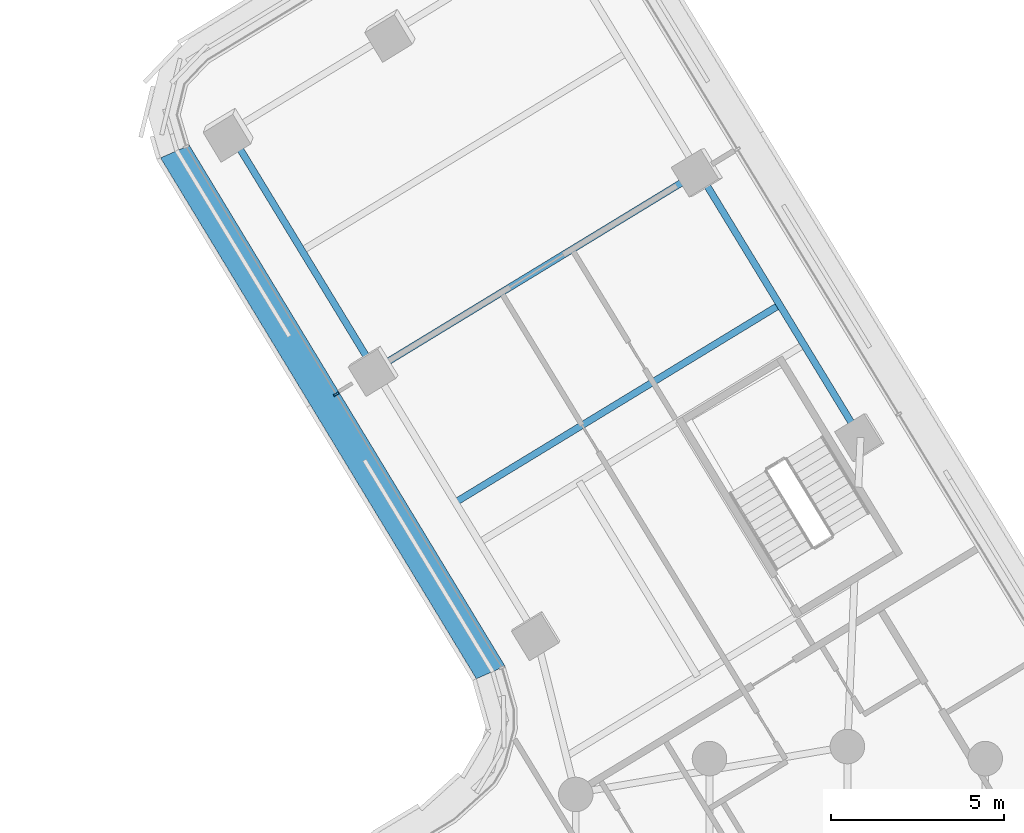
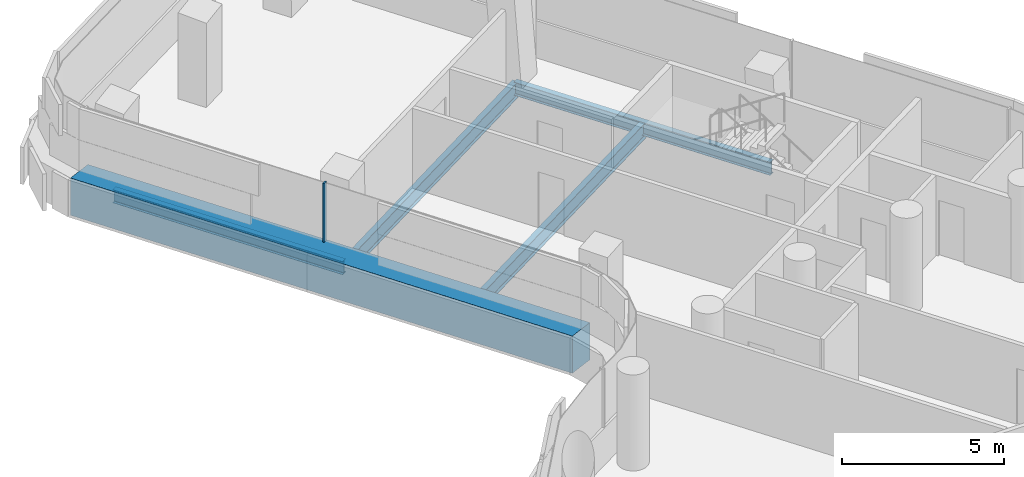
# One storey, part 16 of 35: 4 beams, 2 members, 1 element without a shape of its own.
"""IFC4 building model written with IfcOpenShell, lengths in metres."""

from ifc_helpers import new_model, si_unit, direction, frame, origin, origin_2d, place, context, subcontext, project, spatial, polyline, rectangle, i_section, outline, extrude, material, layer, layer_set, material_profile, profile_set, type_object, element, aggregate, save


model = new_model("IFC4")

# Units and contexts
model_context = context("Model", 3, precision=1e-05, world=origin(), true_north=direction((0.0, 1.0)))
body_context = subcontext(model_context, "Body", "Model", "MODEL_VIEW")
ifc_project = project(units=[si_unit("LENGTHUNIT", "METRE"), si_unit("AREAUNIT", "SQUARE_METRE"), si_unit("VOLUMEUNIT", "CUBIC_METRE"), si_unit("PLANEANGLEUNIT", "RADIAN"), si_unit("MASSUNIT", "GRAM", prefix="KILO")], contexts=[model_context])

# Site, building, storey
site_placement = place(None, origin())
site = spatial("IfcSite", under=ifc_project, at=site_placement, CompositionType="ELEMENT")
building_placement = place(site_placement, origin())
building = spatial("IfcBuilding", under=site, at=building_placement, Name="Tamarind Cross Interchange Tower", CompositionType="ELEMENT")
storey_placement = place(building_placement, frame((0.0, 0.0, 148.0)))
storey = spatial("IfcBuildingStorey", under=building, at=storey_placement, Name="L36", CompositionType="ELEMENT", Elevation=148.0)

# Beams
ifc_material_1 = material(Name="Steel Q355B", Category="steel")
ifc_material_profile_1 = material_profile(ifc_material_1, i_section(OverallWidth=0.198974609375, OverallDepth=0.49609375, WebThickness=0.009033203125, FlangeThickness=0.013916015625, FilletRadius=0.012939453125, at=origin_2d()), Name="HN 496x199x9x14")
ifc_profile_set_1 = profile_set([ifc_material_profile_1], Name="Steel Q355B")
beam_type_1 = type_object("IfcBeamType", Name="Composite beam HN 496x199x9x14 Q355B", PredefinedType="BEAM", material=ifc_profile_set_1)
beam_1_placement = place(storey_placement, frame((-4.3017578125, 39.63623046875, -0.387939453125), z_axis=(0.520181002464, -0.854056043053, 0.0), x_axis=(0.854056043053, 0.520181002464, 0.0)))
element("IfcBeam", 1, at=beam_1_placement, inside=storey, type_object=beam_type_1, Name="Beam N-edgeem6", PredefinedType="BEAM", context=body_context, shape_type="SweptSolid", body=[
    extrude(i_section(OverallWidth=0.198974609375, OverallDepth=0.49609375, WebThickness=0.009033203125, FlangeThickness=0.013916015625, FilletRadius=0.012939453125, at=origin_2d()), origin(), (0.0, 0.0, 1.0), 9.0),
])
beam_2_placement = place(storey_placement, frame((-17.89794921875, 40.8125, -0.387939453125), z_axis=(0.520196240385, -0.854046761887, 0.0), x_axis=(0.854046761887, 0.520196240385, 0.0)))
element("IfcBeam", 2, at=beam_2_placement, inside=storey, type_object=beam_type_1, Name="Beam N-edgeep2", PredefinedType="BEAM", context=body_context, shape_type="SweptSolid", body=[
    extrude(i_section(OverallWidth=0.198974609375, OverallDepth=0.49609375, WebThickness=0.009033203125, FlangeThickness=0.013916015625, FilletRadius=0.012939453125, at=origin_2d()), origin(), (0.0, 0.0, 1.0), 8.0771484375),
])
ifc_material_profile_2 = material_profile(ifc_material_1, i_section(OverallWidth=0.199951171875, OverallDepth=0.60009765625, WebThickness=0.010986328125, FlangeThickness=0.01708984375, FilletRadius=0.012939453125, at=origin_2d()), Name="HN 600x200x11x17")
ifc_profile_set_2 = profile_set([ifc_material_profile_2], Name="Steel Q355B")
beam_type_2 = type_object("IfcBeamType", Name="Composite beam HN 600x200x11x17 Q355B", PredefinedType="BEAM", material=ifc_profile_set_2)
for number, where, z_axis, x_axis, name in (
    (3, (-4.3017578125, 39.63623046875, -0.43994140625), (-0.854056660655, -0.520179988456, 0.0), (0.520179988456, -0.854056660655, 0.0), "Beam N-x393"),
    (4, (-1.9609375, 35.79296875, -0.43994140625), (-0.854056660655, -0.520179988456, 0.0), (0.520179988456, -0.854056660655, 0.0), "Beam N-x348"),
):
    element("IfcBeam", number, at=place(storey_placement, frame(where, z_axis=z_axis, x_axis=x_axis)), inside=storey, type_object=beam_type_2, Name=name, PredefinedType="BEAM", context=body_context, shape_type="SweptSolid", body=[
        extrude(i_section(OverallWidth=0.199951171875, OverallDepth=0.60009765625, WebThickness=0.010986328125, FlangeThickness=0.01708984375, FilletRadius=0.012939453125, at=origin_2d()), origin(), (0.0, 0.0, 1.0), 11.0),
    ])

# Curtain wall, members
ifc_material_2 = material(Name="Aluminium 6063-T6", Category="aluminium")
ifc_layer = layer(ifc_material_2, 0.159912109375)
ifc_layer_set = layer_set([ifc_layer], Name="Aluminium 6063-T6")
curtain_wall_type = type_object("IfcCurtainWallType", Name="Office curtain wall, 9.0 m bays", PredefinedType="NOTDEFINED", material=ifc_layer_set)
curtain_wall_placement = place(storey_placement, origin())
curtain_wall = element("IfcCurtainWall", 5, at=curtain_wall_placement, inside=storey, type_object=curtain_wall_type, Name="CWS-L36-13", PredefinedType="NOTDEFINED")
ifc_material_3 = material(Name="Aluminium and insulated spandrel panel", Category="aluminium")
member_type_1 = type_object("IfcMemberType", Name="Floor-edge blade transom", PredefinedType="USERDEFINED", material=ifc_material_3)
member_1_placement = place(storey_placement, origin())
member_1 = element("IfcMember", 6, at=member_1_placement, type_object=member_type_1, Name="CWT-L36-13", ObjectType="TRANSOM", PredefinedType="USERDEFINED", context=body_context, shape_type="SweptSolid", body=[
    extrude(outline(polyline([(-19.06201171875, 40.4169921875), (-9.91357421875, 25.32666015625), (-10.74609375, 24.964111328125), (-19.892578125, 40.051025390625), (-19.06201171875, 40.4169921875)])), origin(), (0.0, 0.0, 1.0), 1.39990234375),
])
ifc_material_profile_3 = material_profile(ifc_material_2, rectangle(XDim=0.06005859375, YDim=0.159912109375, at=origin_2d()), Name="Mullion CW1")
ifc_profile_set_3 = profile_set([ifc_material_profile_3], Name="Aluminium 6063-T6")
member_type_2 = type_object("IfcMemberType", Name="Mullion CW1", PredefinedType="MULLION", material=ifc_profile_set_3)
member_2_placement = place(storey_placement, frame((-14.807373046875, 33.2060546875, 1.39990234375), z_axis=(0.0, 0.0, 1.0), x_axis=(0.518424670848, -0.855123301434, 0.0)))
member_2 = element("IfcMember", 7, at=member_2_placement, type_object=member_type_2, Name="CWM-L36-13-01", PredefinedType="MULLION", context=body_context, shape_type="SweptSolid", body=[
    extrude(rectangle(XDim=0.06005859375, YDim=0.159912109375, at=origin_2d()), origin(), (0.0, 0.0, 1.0), 2.210205078125),
])
aggregate(curtain_wall, [member_2, member_1])

save(model, "model.ifc")
